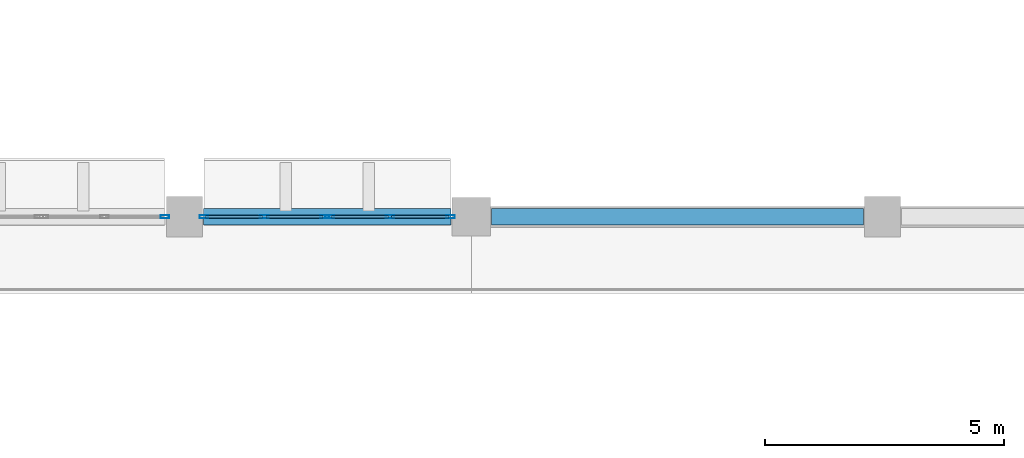
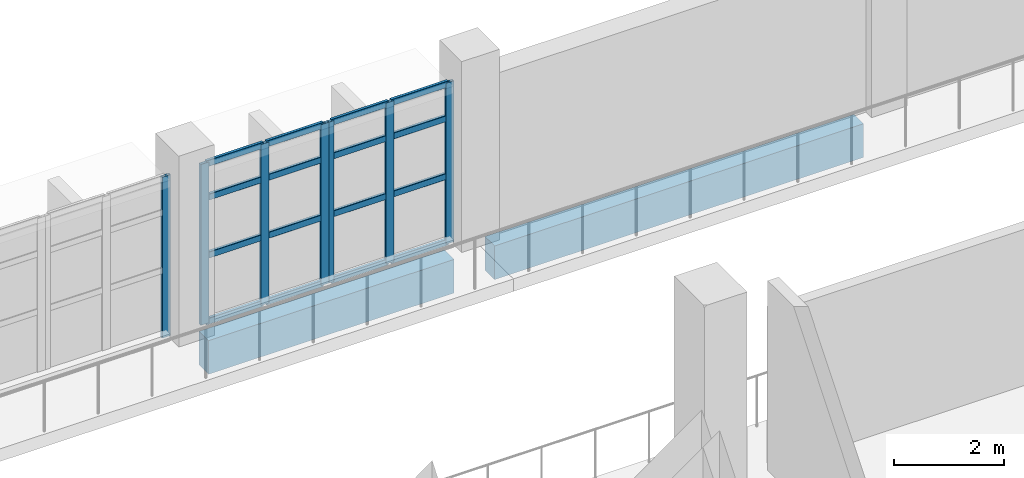
# One storey, part 48 of 76: 23 members, 2 beams, 3 elements without a shape of their own.
"""IFC4 building model written with IfcOpenShell, lengths in metres."""

from ifc_helpers import new_model, si_unit, direction, frame, origin, origin_2d, place, context, subcontext, project, spatial, rectangle, hollow_rectangle, extrude, material, material_profile, profile_set, type_object, element, aggregate, save


model = new_model("IFC4")

# Units and contexts
model_context = context("Model", 3, precision=1e-05, world=origin(), true_north=direction((0.0, 1.0)))
body_context = subcontext(model_context, "Body", "Model", "MODEL_VIEW")
ifc_project = project(units=[si_unit("LENGTHUNIT", "METRE"), si_unit("AREAUNIT", "SQUARE_METRE"), si_unit("VOLUMEUNIT", "CUBIC_METRE"), si_unit("PLANEANGLEUNIT", "RADIAN"), si_unit("MASSUNIT", "GRAM", prefix="KILO")], contexts=[model_context])

# Site, building, storey
site_placement = place(None, origin())
site = spatial("IfcSite", under=ifc_project, at=site_placement, CompositionType="ELEMENT")
building_placement = place(site_placement, origin())
building = spatial("IfcBuilding", under=site, at=building_placement, Name="Varnakota Cinema and Media Centre", CompositionType="ELEMENT")
storey_placement = place(building_placement, origin())
storey = spatial("IfcBuildingStorey", under=building, at=storey_placement, Name="L00", CompositionType="ELEMENT", Elevation=0.0)

# Beams
ifc_material_1 = material(Name="Concrete M40", Category="concrete")
ifc_material_profile_1 = material_profile(ifc_material_1, rectangle(XDim=0.35009765625, YDim=0.75, at=origin_2d()), Name="RCB 350x750")
ifc_profile_set_1 = profile_set([ifc_material_profile_1], Name="Concrete M40")
beam_type = type_object("IfcBeamType", Name="BM-SP-350x750", PredefinedType="SPANDREL", material=ifc_profile_set_1)
beam_1_placement = place(storey_placement, frame((129.39990234375, 44.0, -0.655029296875), z_axis=(1.0, 0.0, 0.0), x_axis=(0.0, 1.0, 0.0)))
element("IfcBeam", 1, at=beam_1_placement, inside=storey, type_object=beam_type, Name="L00 girder U-V/6", PredefinedType="SPANDREL", context=body_context, shape_type="SweptSolid", body=[
    extrude(rectangle(XDim=0.35009765625, YDim=0.75, at=origin_2d()), origin(), (0.0, 0.0, 1.0), 5.175048828125),
])
beam_2_placement = place(storey_placement, frame((135.425048828125, 44.0, -0.655029296875), z_axis=(1.0, 0.0, 0.0), x_axis=(0.0, 1.0, 0.0)))
element("IfcBeam", 2, at=beam_2_placement, inside=storey, type_object=beam_type, Name="L00 girder V-W/6", PredefinedType="SPANDREL", context=body_context, shape_type="SweptSolid", body=[
    extrude(rectangle(XDim=0.35009765625, YDim=0.75, at=origin_2d()), origin(), (0.0, 0.0, 1.0), 7.77490234375),
])

# Curtain wall, member
ifc_material_2 = material(Name="Thermally broken anodised aluminium AW-6063", Category="aluminium")
curtain_wall_type = type_object("IfcCurtainWallType", Name="CW-STD-259x358", PredefinedType="USERDEFINED", material=ifc_material_2)
curtain_wall_1_placement = place(storey_placement, origin())
curtain_wall_1 = element("IfcCurtainWall", 3, at=curtain_wall_1_placement, inside=storey, type_object=curtain_wall_type, Name="L00 curtain wall CW-L00-V1-N-09-2", ObjectType="UNITISED CURTAIN WALL", PredefinedType="USERDEFINED")
ifc_material_3 = material(Name="Thermally broken anodised aluminium AW-6063", Category="aluminium")
ifc_material_profile_2 = material_profile(ifc_material_3, hollow_rectangle(XDim=0.06494140625, YDim=0.179931640625, WallThickness=0.00390625, InnerFilletRadius=0.00390625, OuterFilletRadius=0.008056640625, at=origin_2d()), Name="AL-MULLION 180x65x4")
ifc_profile_set_2 = profile_set([ifc_material_profile_2], Name="Thermally broken anodised aluminium AW-6063")
member_type_1 = type_object("IfcMemberType", Name="CWM-AL-180", PredefinedType="MULLION", material=ifc_profile_set_2)
member_1_placement = place(storey_placement, frame((128.592529296875, 44.0, 0.0), z_axis=(0.0, 0.0, 1.0), x_axis=(0.0, 1.0, 0.0)))
member_1 = element("IfcMember", 4, at=member_1_placement, type_object=member_type_1, Name="CW06 mullion 3", PredefinedType="MULLION", context=body_context, shape_type="SweptSolid", body=[
    extrude(hollow_rectangle(XDim=0.06494140625, YDim=0.179931640625, WallThickness=0.00390625, InnerFilletRadius=0.00390625, OuterFilletRadius=0.008056640625, at=origin_2d()), origin(), (0.0, 0.0, 1.0), 3.5849609375),
])
aggregate(curtain_wall_1, [member_1])

# Curtain wall, members
curtain_wall_2_placement = place(storey_placement, origin())
curtain_wall_2 = element("IfcCurtainWall", 5, at=curtain_wall_2_placement, inside=storey, type_object=curtain_wall_type, Name="L00 curtain wall CW-L00-V1-N-10-1", ObjectType="UNITISED CURTAIN WALL", PredefinedType="USERDEFINED")
member_2_placement = place(storey_placement, frame((129.407470703125, 44.0, 0.0), z_axis=(0.0, 0.0, 1.0), x_axis=(0.0, 1.0, 0.0)))
member_2 = element("IfcMember", 6, at=member_2_placement, type_object=member_type_1, Name="CW06 mullion 1", PredefinedType="MULLION", context=body_context, shape_type="SweptSolid", body=[
    extrude(hollow_rectangle(XDim=0.06494140625, YDim=0.179931640625, WallThickness=0.00390625, InnerFilletRadius=0.00390625, OuterFilletRadius=0.008056640625, at=origin_2d()), origin(), (0.0, 0.0, 1.0), 3.5849609375),
])
member_3_placement = place(storey_placement, frame((130.671142578125, 44.0, 0.0), z_axis=(0.0, 0.0, 1.0), x_axis=(0.0, 1.0, 0.0)))
member_3 = element("IfcMember", 7, at=member_3_placement, type_object=member_type_1, Name="CW06 mullion 2", PredefinedType="MULLION", context=body_context, shape_type="SweptSolid", body=[
    extrude(hollow_rectangle(XDim=0.06494140625, YDim=0.179931640625, WallThickness=0.00390625, InnerFilletRadius=0.00390625, OuterFilletRadius=0.008056640625, at=origin_2d()), origin(), (0.0, 0.0, 1.0), 3.5849609375),
])
member_4_placement = place(storey_placement, frame((131.93505859375, 44.0, 0.0), z_axis=(0.0, 0.0, 1.0), x_axis=(0.0, 1.0, 0.0)))
member_4 = element("IfcMember", 8, at=member_4_placement, type_object=member_type_1, Name="CW06 mullion 3", PredefinedType="MULLION", context=body_context, shape_type="SweptSolid", body=[
    extrude(hollow_rectangle(XDim=0.06494140625, YDim=0.179931640625, WallThickness=0.00390625, InnerFilletRadius=0.00390625, OuterFilletRadius=0.008056640625, at=origin_2d()), origin(), (0.0, 0.0, 1.0), 3.5849609375),
])

curtain_wall_3_placement = place(storey_placement, origin())
curtain_wall_3 = element("IfcCurtainWall", 9, at=curtain_wall_3_placement, inside=storey, type_object=curtain_wall_type, Name="L00 curtain wall CW-L00-V1-N-10-2", ObjectType="UNITISED CURTAIN WALL", PredefinedType="USERDEFINED")
member_5_placement = place(storey_placement, frame((132.0400390625, 44.0, 0.0), z_axis=(0.0, 0.0, 1.0), x_axis=(0.0, 1.0, 0.0)))
member_5 = element("IfcMember", 10, at=member_5_placement, type_object=member_type_1, Name="CW06 mullion 1", PredefinedType="MULLION", context=body_context, shape_type="SweptSolid", body=[
    extrude(hollow_rectangle(XDim=0.06494140625, YDim=0.179931640625, WallThickness=0.00390625, InnerFilletRadius=0.00390625, OuterFilletRadius=0.008056640625, at=origin_2d()), origin(), (0.0, 0.0, 1.0), 3.5849609375),
])
member_6_placement = place(storey_placement, frame((133.3037109375, 44.0, 0.0), z_axis=(0.0, 0.0, 1.0), x_axis=(0.0, 1.0, 0.0)))
member_6 = element("IfcMember", 11, at=member_6_placement, type_object=member_type_1, Name="CW06 mullion 2", PredefinedType="MULLION", context=body_context, shape_type="SweptSolid", body=[
    extrude(hollow_rectangle(XDim=0.06494140625, YDim=0.179931640625, WallThickness=0.00390625, InnerFilletRadius=0.00390625, OuterFilletRadius=0.008056640625, at=origin_2d()), origin(), (0.0, 0.0, 1.0), 3.5849609375),
])
member_7_placement = place(storey_placement, frame((134.5673828125, 44.0, 0.0), z_axis=(0.0, 0.0, 1.0), x_axis=(0.0, 1.0, 0.0)))
member_7 = element("IfcMember", 12, at=member_7_placement, type_object=member_type_1, Name="CW06 mullion 3", PredefinedType="MULLION", context=body_context, shape_type="SweptSolid", body=[
    extrude(hollow_rectangle(XDim=0.06494140625, YDim=0.179931640625, WallThickness=0.00390625, InnerFilletRadius=0.00390625, OuterFilletRadius=0.008056640625, at=origin_2d()), origin(), (0.0, 0.0, 1.0), 3.5849609375),
])

# Member
ifc_material_4 = material(Name="Thermally broken anodised aluminium AW-6063", Category="aluminium")
ifc_material_profile_3 = material_profile(ifc_material_4, hollow_rectangle(XDim=0.06494140625, YDim=0.139892578125, WallThickness=0.00390625, InnerFilletRadius=0.00390625, OuterFilletRadius=0.008056640625, at=origin_2d()), Name="AL-TRANSOM 140x65x4")
ifc_profile_set_3 = profile_set([ifc_material_profile_3], Name="Thermally broken anodised aluminium AW-6063")
member_type_2 = type_object("IfcMemberType", Name="CWT-AL-140", PredefinedType="USERDEFINED", material=ifc_profile_set_3)
member_8_placement = place(storey_placement, frame((129.43994140625, 44.0, 0.032470703125), z_axis=(1.0, 0.0, 0.0), x_axis=(0.0, 1.0, 0.0)))
member_8 = element("IfcMember", 13, at=member_8_placement, type_object=member_type_2, Name="CW06 transom 1.1", ObjectType="TRANSOM", PredefinedType="USERDEFINED", context=body_context, shape_type="SweptSolid", body=[
    extrude(hollow_rectangle(XDim=0.06494140625, YDim=0.139892578125, WallThickness=0.00390625, InnerFilletRadius=0.00390625, OuterFilletRadius=0.008056640625, at=origin_2d()), origin(), (0.0, 0.0, 1.0), 1.19873046875),
])

member_9_placement = place(storey_placement, frame((129.43994140625, 44.0, 1.505615234375), z_axis=(1.0, 0.0, 0.0), x_axis=(0.0, 1.0, 0.0)))
member_9 = element("IfcMember", 14, at=member_9_placement, type_object=member_type_2, Name="CW06 transom 1.2", ObjectType="TRANSOM", PredefinedType="USERDEFINED", context=body_context, shape_type="SweptSolid", body=[
    extrude(hollow_rectangle(XDim=0.06494140625, YDim=0.139892578125, WallThickness=0.00390625, InnerFilletRadius=0.00390625, OuterFilletRadius=0.008056640625, at=origin_2d()), origin(), (0.0, 0.0, 1.0), 1.19873046875),
])

member_10_placement = place(storey_placement, frame((129.43994140625, 44.0, 2.79638671875), z_axis=(1.0, 0.0, 0.0), x_axis=(0.0, 1.0, 0.0)))
member_10 = element("IfcMember", 15, at=member_10_placement, type_object=member_type_2, Name="CW06 transom 1.3", ObjectType="TRANSOM", PredefinedType="USERDEFINED", context=body_context, shape_type="SweptSolid", body=[
    extrude(hollow_rectangle(XDim=0.06494140625, YDim=0.139892578125, WallThickness=0.00390625, InnerFilletRadius=0.00390625, OuterFilletRadius=0.008056640625, at=origin_2d()), origin(), (0.0, 0.0, 1.0), 1.19873046875),
])

member_11_placement = place(storey_placement, frame((129.43994140625, 44.0, 3.552490234375), z_axis=(1.0, 0.0, 0.0), x_axis=(0.0, 1.0, 0.0)))
member_11 = element("IfcMember", 16, at=member_11_placement, type_object=member_type_2, Name="CW06 transom 1.4", ObjectType="TRANSOM", PredefinedType="USERDEFINED", context=body_context, shape_type="SweptSolid", body=[
    extrude(hollow_rectangle(XDim=0.06494140625, YDim=0.139892578125, WallThickness=0.00390625, InnerFilletRadius=0.00390625, OuterFilletRadius=0.008056640625, at=origin_2d()), origin(), (0.0, 0.0, 1.0), 1.19873046875),
])

member_12_placement = place(storey_placement, frame((130.703857421875, 44.0, 0.032470703125), z_axis=(1.0, 0.0, 0.0), x_axis=(0.0, 1.0, 0.0)))
member_12 = element("IfcMember", 17, at=member_12_placement, type_object=member_type_2, Name="CW06 transom 2.1", ObjectType="TRANSOM", PredefinedType="USERDEFINED", context=body_context, shape_type="SweptSolid", body=[
    extrude(hollow_rectangle(XDim=0.06494140625, YDim=0.139892578125, WallThickness=0.00390625, InnerFilletRadius=0.00390625, OuterFilletRadius=0.008056640625, at=origin_2d()), origin(), (0.0, 0.0, 1.0), 1.19873046875),
])

member_13_placement = place(storey_placement, frame((130.703857421875, 44.0, 1.505615234375), z_axis=(1.0, 0.0, 0.0), x_axis=(0.0, 1.0, 0.0)))
member_13 = element("IfcMember", 18, at=member_13_placement, type_object=member_type_2, Name="CW06 transom 2.2", ObjectType="TRANSOM", PredefinedType="USERDEFINED", context=body_context, shape_type="SweptSolid", body=[
    extrude(hollow_rectangle(XDim=0.06494140625, YDim=0.139892578125, WallThickness=0.00390625, InnerFilletRadius=0.00390625, OuterFilletRadius=0.008056640625, at=origin_2d()), origin(), (0.0, 0.0, 1.0), 1.19873046875),
])

member_14_placement = place(storey_placement, frame((130.703857421875, 44.0, 2.79638671875), z_axis=(1.0, 0.0, 0.0), x_axis=(0.0, 1.0, 0.0)))
member_14 = element("IfcMember", 19, at=member_14_placement, type_object=member_type_2, Name="CW06 transom 2.3", ObjectType="TRANSOM", PredefinedType="USERDEFINED", context=body_context, shape_type="SweptSolid", body=[
    extrude(hollow_rectangle(XDim=0.06494140625, YDim=0.139892578125, WallThickness=0.00390625, InnerFilletRadius=0.00390625, OuterFilletRadius=0.008056640625, at=origin_2d()), origin(), (0.0, 0.0, 1.0), 1.19873046875),
])

member_15_placement = place(storey_placement, frame((130.703857421875, 44.0, 3.552490234375), z_axis=(1.0, 0.0, 0.0), x_axis=(0.0, 1.0, 0.0)))
member_15 = element("IfcMember", 20, at=member_15_placement, type_object=member_type_2, Name="CW06 transom 2.4", ObjectType="TRANSOM", PredefinedType="USERDEFINED", context=body_context, shape_type="SweptSolid", body=[
    extrude(hollow_rectangle(XDim=0.06494140625, YDim=0.139892578125, WallThickness=0.00390625, InnerFilletRadius=0.00390625, OuterFilletRadius=0.008056640625, at=origin_2d()), origin(), (0.0, 0.0, 1.0), 1.19873046875),
])

aggregate(curtain_wall_2, [member_2, member_3, member_4, member_8, member_9, member_10, member_11, member_12, member_13, member_14, member_15])

member_16_placement = place(storey_placement, frame((132.072509765625, 44.0, 0.032470703125), z_axis=(1.0, 0.0, 0.0), x_axis=(0.0, 1.0, 0.0)))
member_16 = element("IfcMember", 21, at=member_16_placement, type_object=member_type_2, Name="CW06 transom 1.1", ObjectType="TRANSOM", PredefinedType="USERDEFINED", context=body_context, shape_type="SweptSolid", body=[
    extrude(hollow_rectangle(XDim=0.06494140625, YDim=0.139892578125, WallThickness=0.00390625, InnerFilletRadius=0.00390625, OuterFilletRadius=0.008056640625, at=origin_2d()), origin(), (0.0, 0.0, 1.0), 1.19873046875),
])

member_17_placement = place(storey_placement, frame((132.072509765625, 44.0, 1.505615234375), z_axis=(1.0, 0.0, 0.0), x_axis=(0.0, 1.0, 0.0)))
member_17 = element("IfcMember", 22, at=member_17_placement, type_object=member_type_2, Name="CW06 transom 1.2", ObjectType="TRANSOM", PredefinedType="USERDEFINED", context=body_context, shape_type="SweptSolid", body=[
    extrude(hollow_rectangle(XDim=0.06494140625, YDim=0.139892578125, WallThickness=0.00390625, InnerFilletRadius=0.00390625, OuterFilletRadius=0.008056640625, at=origin_2d()), origin(), (0.0, 0.0, 1.0), 1.19873046875),
])

member_18_placement = place(storey_placement, frame((132.072509765625, 44.0, 2.79638671875), z_axis=(1.0, 0.0, 0.0), x_axis=(0.0, 1.0, 0.0)))
member_18 = element("IfcMember", 23, at=member_18_placement, type_object=member_type_2, Name="CW06 transom 1.3", ObjectType="TRANSOM", PredefinedType="USERDEFINED", context=body_context, shape_type="SweptSolid", body=[
    extrude(hollow_rectangle(XDim=0.06494140625, YDim=0.139892578125, WallThickness=0.00390625, InnerFilletRadius=0.00390625, OuterFilletRadius=0.008056640625, at=origin_2d()), origin(), (0.0, 0.0, 1.0), 1.19873046875),
])

member_19_placement = place(storey_placement, frame((132.072509765625, 44.0, 3.552490234375), z_axis=(1.0, 0.0, 0.0), x_axis=(0.0, 1.0, 0.0)))
member_19 = element("IfcMember", 24, at=member_19_placement, type_object=member_type_2, Name="CW06 transom 1.4", ObjectType="TRANSOM", PredefinedType="USERDEFINED", context=body_context, shape_type="SweptSolid", body=[
    extrude(hollow_rectangle(XDim=0.06494140625, YDim=0.139892578125, WallThickness=0.00390625, InnerFilletRadius=0.00390625, OuterFilletRadius=0.008056640625, at=origin_2d()), origin(), (0.0, 0.0, 1.0), 1.19873046875),
])

member_20_placement = place(storey_placement, frame((133.336181640625, 44.0, 0.032470703125), z_axis=(1.0, 0.0, 0.0), x_axis=(0.0, 1.0, 0.0)))
member_20 = element("IfcMember", 25, at=member_20_placement, type_object=member_type_2, Name="CW06 transom 2.1", ObjectType="TRANSOM", PredefinedType="USERDEFINED", context=body_context, shape_type="SweptSolid", body=[
    extrude(hollow_rectangle(XDim=0.06494140625, YDim=0.139892578125, WallThickness=0.00390625, InnerFilletRadius=0.00390625, OuterFilletRadius=0.008056640625, at=origin_2d()), origin(), (0.0, 0.0, 1.0), 1.19873046875),
])

member_21_placement = place(storey_placement, frame((133.336181640625, 44.0, 1.505615234375), z_axis=(1.0, 0.0, 0.0), x_axis=(0.0, 1.0, 0.0)))
member_21 = element("IfcMember", 26, at=member_21_placement, type_object=member_type_2, Name="CW06 transom 2.2", ObjectType="TRANSOM", PredefinedType="USERDEFINED", context=body_context, shape_type="SweptSolid", body=[
    extrude(hollow_rectangle(XDim=0.06494140625, YDim=0.139892578125, WallThickness=0.00390625, InnerFilletRadius=0.00390625, OuterFilletRadius=0.008056640625, at=origin_2d()), origin(), (0.0, 0.0, 1.0), 1.19873046875),
])

member_22_placement = place(storey_placement, frame((133.336181640625, 44.0, 2.79638671875), z_axis=(1.0, 0.0, 0.0), x_axis=(0.0, 1.0, 0.0)))
member_22 = element("IfcMember", 27, at=member_22_placement, type_object=member_type_2, Name="CW06 transom 2.3", ObjectType="TRANSOM", PredefinedType="USERDEFINED", context=body_context, shape_type="SweptSolid", body=[
    extrude(hollow_rectangle(XDim=0.06494140625, YDim=0.139892578125, WallThickness=0.00390625, InnerFilletRadius=0.00390625, OuterFilletRadius=0.008056640625, at=origin_2d()), origin(), (0.0, 0.0, 1.0), 1.19873046875),
])

member_23_placement = place(storey_placement, frame((133.336181640625, 44.0, 3.552490234375), z_axis=(1.0, 0.0, 0.0), x_axis=(0.0, 1.0, 0.0)))
member_23 = element("IfcMember", 28, at=member_23_placement, type_object=member_type_2, Name="CW06 transom 2.4", ObjectType="TRANSOM", PredefinedType="USERDEFINED", context=body_context, shape_type="SweptSolid", body=[
    extrude(hollow_rectangle(XDim=0.06494140625, YDim=0.139892578125, WallThickness=0.00390625, InnerFilletRadius=0.00390625, OuterFilletRadius=0.008056640625, at=origin_2d()), origin(), (0.0, 0.0, 1.0), 1.19873046875),
])

aggregate(curtain_wall_3, [member_5, member_6, member_7, member_16, member_17, member_18, member_19, member_20, member_21, member_22, member_23])

save(model, "model.ifc")
